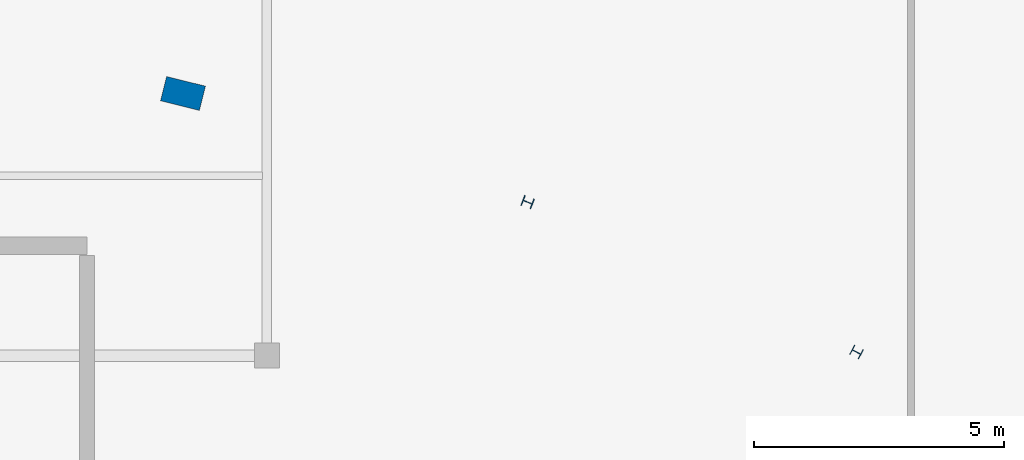
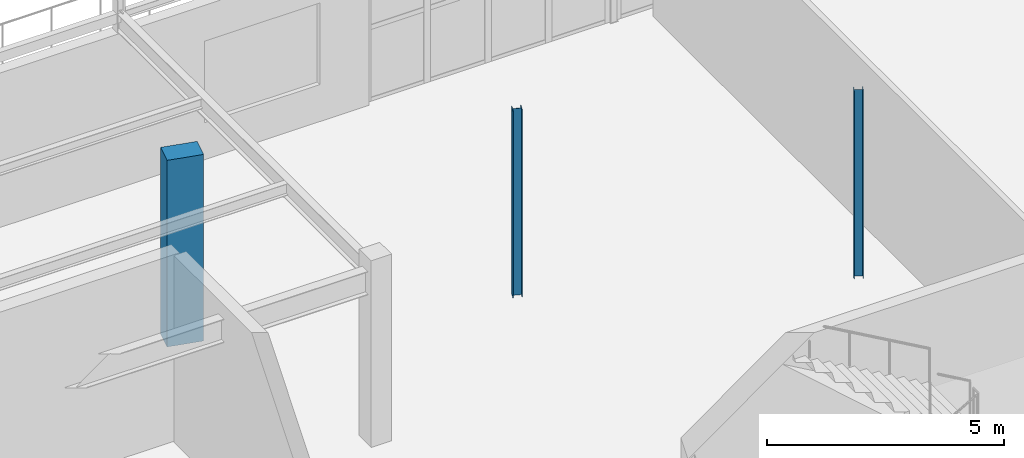
# One storey, part 37 of 199: 3 columns.
"""IFC4 building model written with IfcOpenShell, lengths in metres."""

from ifc_helpers import new_model, si_unit, direction, frame, origin, origin_2d, place, context, subcontext, project, spatial, rectangle, i_section, extrude, material, material_profile, profile_set, type_object, element, save


model = new_model("IFC4")

# Units and contexts
model_context = context("Model", 3, precision=1e-05, world=origin(), true_north=direction((0.0, 1.0)))
body_context = subcontext(model_context, "Body", "Model", "MODEL_VIEW")
ifc_project = project(units=[si_unit("LENGTHUNIT", "METRE"), si_unit("AREAUNIT", "SQUARE_METRE"), si_unit("VOLUMEUNIT", "CUBIC_METRE"), si_unit("PLANEANGLEUNIT", "RADIAN"), si_unit("MASSUNIT", "GRAM", prefix="KILO")], contexts=[model_context])

# Site, building, storey
site_placement = place(None, origin())
site = spatial("IfcSite", under=ifc_project, at=site_placement, CompositionType="ELEMENT")
building_placement = place(site_placement, origin())
building = spatial("IfcBuilding", under=site, at=building_placement, Name="Tarnwether General Hospital", CompositionType="ELEMENT")
storey_placement = place(building_placement, origin())
storey = spatial("IfcBuildingStorey", under=building, at=storey_placement, Name="L00", CompositionType="ELEMENT", Elevation=0.0)

# Columns
ifc_material_1 = material(Name="Concrete 50 MPa", Category="concrete")
ifc_material_profile_1 = material_profile(ifc_material_1, rectangle(XDim=0.5, YDim=0.800048828125, at=origin_2d()), Name="RC-PIL-500x800")
ifc_profile_set_1 = profile_set([ifc_material_profile_1], Name="Concrete 50 MPa")
column_type_1 = type_object("IfcColumnType", Name="COL-23", PredefinedType="PILASTER", material=ifc_profile_set_1)
column_1_placement = place(storey_placement, frame((106.322021484375, 120.44189453125, 0.0), z_axis=(0.0, 0.0, 1.0), x_axis=(0.2419218956, 0.970295726276, 0.0)))
element("IfcColumn", 1, at=column_1_placement, inside=storey, type_object=column_type_1, Name="Column COLG-L00-10632_12044", PredefinedType="PILASTER", context=body_context, shape_type="SweptSolid", body=[
    extrude(rectangle(XDim=0.5, YDim=0.800048828125, at=origin_2d()), origin(), (0.0, 0.0, 1.0), 4.800048828125),
])
ifc_material_2 = material(Name="Steel Grade 350 (350 MPa)", Category="steel")
ifc_material_profile_2 = material_profile(ifc_material_2, i_section(OverallWidth=0.205078125, OverallDepth=0.2099609375, WebThickness=0.00927734375, FlangeThickness=0.01416015625, at=origin_2d()), Name="200UC59.5")
ifc_profile_set_2 = profile_set([ifc_material_profile_2], Name="Steel Grade 350 (350 MPa)")
column_type_2 = type_object("IfcColumnType", Name="COL-25", PredefinedType="COLUMN", material=ifc_profile_set_2)
column_2_placement = place(storey_placement, frame((113.215087890625, 118.26806640625, 0.0), z_axis=(0.0, 0.0, 1.0), x_axis=(0.358367949545, 0.933580426497, 0.0)))
element("IfcColumn", 2, at=column_2_placement, inside=storey, type_object=column_type_2, Name="Column COLG-L00-11322_11827", PredefinedType="COLUMN", context=body_context, shape_type="SweptSolid", body=[
    extrude(i_section(OverallWidth=0.205078125, OverallDepth=0.2099609375, WebThickness=0.00927734375, FlangeThickness=0.01416015625, at=origin_2d()), origin(), (0.0, 0.0, 1.0), 4.800048828125),
])
ifc_material_3 = material(Name="Steel Grade 350 (350 MPa)", Category="steel")
ifc_material_profile_3 = material_profile(ifc_material_3, i_section(OverallWidth=0.202880859375, OverallDepth=0.202880859375, WebThickness=0.00732421875, FlangeThickness=0.010986328125, at=origin_2d()), Name="200UC46.2")
ifc_profile_set_3 = profile_set([ifc_material_profile_3], Name="Steel Grade 350 (350 MPa)")
column_type_3 = type_object("IfcColumnType", Name="COL-27", PredefinedType="COLUMN", material=ifc_profile_set_3)
column_3_placement = place(storey_placement, frame((119.79296875, 115.27001953125, 0.0), z_axis=(0.0, 0.0, 1.0), x_axis=(0.469471562786, 0.882947592859, 0.0)))
element("IfcColumn", 3, at=column_3_placement, inside=storey, type_object=column_type_3, Name="Column COLG-L00-11979_11527", PredefinedType="COLUMN", context=body_context, shape_type="SweptSolid", body=[
    extrude(i_section(OverallWidth=0.202880859375, OverallDepth=0.202880859375, WebThickness=0.00732421875, FlangeThickness=0.010986328125, at=origin_2d()), origin(), (0.0, 0.0, 1.0), 4.800048828125),
])

save(model, "model.ifc")
